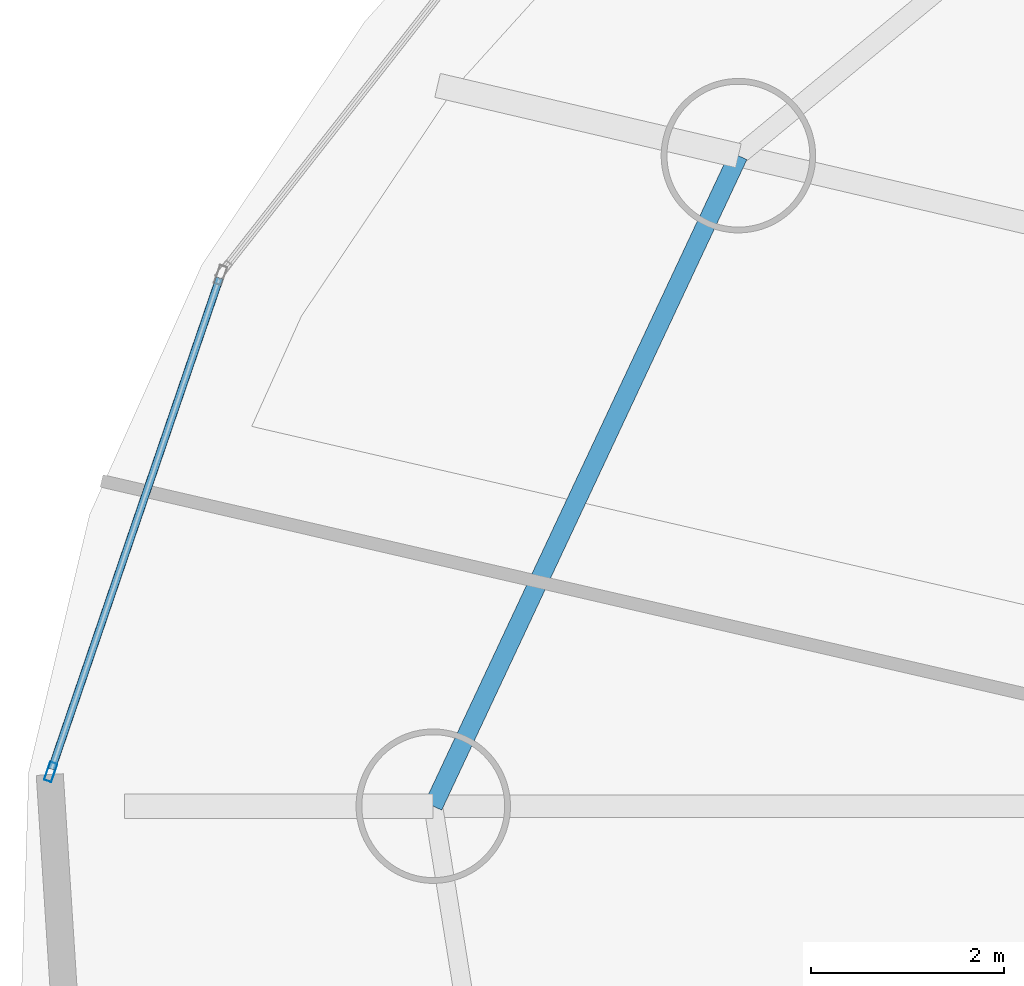
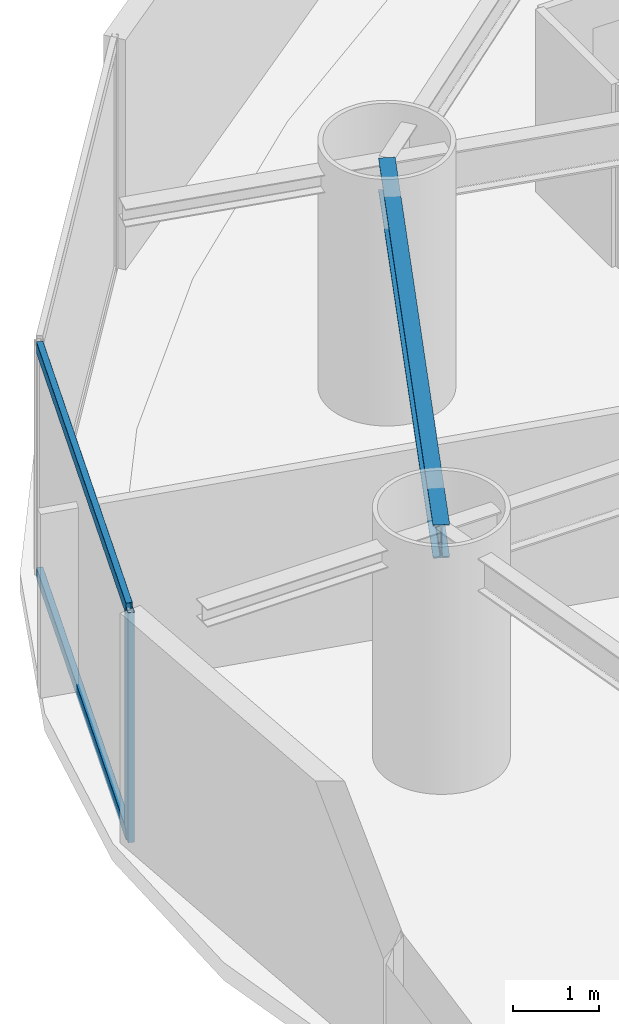
# One storey, part 5 of 23: 3 members, 1 beam, 1 element without a shape of its own.
"""IFC4 building model written with IfcOpenShell, lengths in metres."""

from ifc_helpers import new_model, si_unit, direction, frame, origin, origin_2d, place, context, subcontext, project, spatial, hollow_rectangle, i_section, extrude, material, layer, layer_set, material_profile, profile_set, type_object, element, aggregate, save


model = new_model("IFC4")

# Units and contexts
model_context = context("Model", 3, precision=1e-05, world=origin(), true_north=direction((0.0, 1.0)))
body_context = subcontext(model_context, "Body", "Model", "MODEL_VIEW")
ifc_project = project(units=[si_unit("LENGTHUNIT", "METRE"), si_unit("AREAUNIT", "SQUARE_METRE"), si_unit("VOLUMEUNIT", "CUBIC_METRE"), si_unit("PLANEANGLEUNIT", "RADIAN"), si_unit("MASSUNIT", "GRAM", prefix="KILO")], contexts=[model_context])

# Site, building, storey
site_placement = place(None, origin())
site = spatial("IfcSite", under=ifc_project, at=site_placement, CompositionType="ELEMENT")
building_placement = place(site_placement, origin())
building = spatial("IfcBuilding", under=site, at=building_placement, Name="Bramvorn Convention Spire", CompositionType="ELEMENT")
storey_placement = place(building_placement, frame((0.0, 0.0, 65.89990234375)))
storey = spatial("IfcBuildingStorey", under=building, at=storey_placement, Name="L14", CompositionType="ELEMENT", Elevation=65.89990234375)

# Beam
ifc_material_1 = material(Name="Steel CSA G40.21 Grade 350 (350W)", Category="steel")
ifc_material_profile_1 = material_profile(ifc_material_1, i_section(OverallWidth=0.194091796875, OverallDepth=0.468994140625, WebThickness=0.0126953125, FlangeThickness=0.0205078125, FilletRadius=0.01806640625, at=origin_2d()))
ifc_profile_set_1 = profile_set([ifc_material_profile_1], Name="Steel CSA G40.21 Grade 350 (350W) - W460X106")
beam_type = type_object("IfcBeamType", Name="BM-W460X106", PredefinedType="SPANDREL", material=ifc_profile_set_1)
beam_placement = place(storey_placement, frame((12.64111328125, 36.746337890625, 3.015625), z_axis=(-0.424701955478, -0.9053332254, 0.0), x_axis=(0.9053332254, -0.424701955478, 0.0)))
element("IfcBeam", 1, at=beam_placement, inside=storey, type_object=beam_type, Name="L14 mega-column ring beam 08", PredefinedType="SPANDREL", context=body_context, shape_type="SweptSolid", body=[
    extrude(i_section(OverallWidth=0.194091796875, OverallDepth=0.468994140625, WebThickness=0.0126953125, FlangeThickness=0.0205078125, FilletRadius=0.01806640625, at=origin_2d()), origin(), (0.0, 0.0, 1.0), 7.442626953125),
])

# Curtain wall, members
ifc_material_2 = material(Name="Anodised Bronze Unitised Curtain Wall", Category="aluminium")
ifc_layer = layer(ifc_material_2, 0.179931640625)
ifc_layer_set = layer_set([ifc_layer], Name="Anodised Bronze Unitised Curtain Wall - CW-HTL-FRIT")
curtain_wall_type = type_object("IfcCurtainWallType", Name="CW-HTL-FRIT", PredefinedType="USERDEFINED", material=ifc_layer_set)
curtain_wall_placement = place(storey_placement, origin())
curtain_wall = element("IfcCurtainWall", 2, at=curtain_wall_placement, inside=storey, type_object=curtain_wall_type, Name="L14 fritted glass curtain wall 12", ObjectType="UNITISED CURTAIN WALL", PredefinedType="USERDEFINED")
ifc_material_3 = material(Name="Anodised Bronze Aluminium 6063-T6", Category="aluminium")
ifc_material_profile_2 = material_profile(ifc_material_3, hollow_rectangle(XDim=0.080078125, YDim=0.199951171875, WallThickness=0.00390625, InnerFilletRadius=0.0009765625, OuterFilletRadius=0.00390625, at=origin_2d()))
ifc_profile_set_2 = profile_set([ifc_material_profile_2], Name="Anodised Bronze Aluminium 6063-T6 - CWM80X200")
member_type_1 = type_object("IfcMemberType", Name="CW-MUL-180", PredefinedType="MULLION", material=ifc_profile_set_2)
member_1_placement = place(storey_placement, frame((5.517822265625, 30.36376953125, 0.0), z_axis=(0.0, 0.0, 1.0), x_axis=(-0.94615430856, 0.323715962525, 0.0)))
member_1 = element("IfcMember", 3, at=member_1_placement, type_object=member_type_1, Name="CW2 mullion 1", PredefinedType="MULLION", context=body_context, shape_type="SweptSolid", body=[
    extrude(hollow_rectangle(XDim=0.080078125, YDim=0.199951171875, WallThickness=0.00390625, InnerFilletRadius=0.0009765625, OuterFilletRadius=0.00390625, at=origin_2d()), origin(), (0.0, 0.0, 1.0), 3.25),
])
ifc_material_profile_3 = material_profile(ifc_material_3, hollow_rectangle(XDim=0.080078125, YDim=0.159912109375, WallThickness=0.00390625, InnerFilletRadius=0.0009765625, OuterFilletRadius=0.00390625, at=origin_2d()))
ifc_profile_set_3 = profile_set([ifc_material_profile_3], Name="Anodised Bronze Aluminium 6063-T6 - CWT80X160")
member_type_2 = type_object("IfcMemberType", Name="CW-TRN-150", PredefinedType="USERDEFINED", material=ifc_profile_set_3)
member_2_placement = place(storey_placement, frame((5.52734375, 30.39208984375, 0.030029296875), z_axis=(0.323709070644, 0.946156666511, 0.0), x_axis=(-0.946156666511, 0.323709070644, 0.0)))
member_2 = element("IfcMember", 4, at=member_2_placement, type_object=member_type_2, Name="CW2 transom 1.1", ObjectType="TRANSOM", PredefinedType="USERDEFINED", context=body_context, shape_type="SweptSolid", body=[
    extrude(hollow_rectangle(XDim=0.080078125, YDim=0.159912109375, WallThickness=0.00390625, InnerFilletRadius=0.0009765625, OuterFilletRadius=0.00390625, at=origin_2d()), origin(), (0.0, 0.0, 1.0), 5.37744140625),
])
member_3_placement = place(storey_placement, frame((5.52734375, 30.39208984375, 3.22021484375), z_axis=(0.323709070644, 0.946156666511, 0.0), x_axis=(-0.946156666511, 0.323709070644, 0.0)))
member_3 = element("IfcMember", 5, at=member_3_placement, type_object=member_type_2, Name="CW2 transom 1.2", ObjectType="TRANSOM", PredefinedType="USERDEFINED", context=body_context, shape_type="SweptSolid", body=[
    extrude(hollow_rectangle(XDim=0.080078125, YDim=0.159912109375, WallThickness=0.00390625, InnerFilletRadius=0.0009765625, OuterFilletRadius=0.00390625, at=origin_2d()), origin(), (0.0, 0.0, 1.0), 5.37744140625),
])
aggregate(curtain_wall, [member_1, member_2, member_3])

save(model, "model.ifc")
